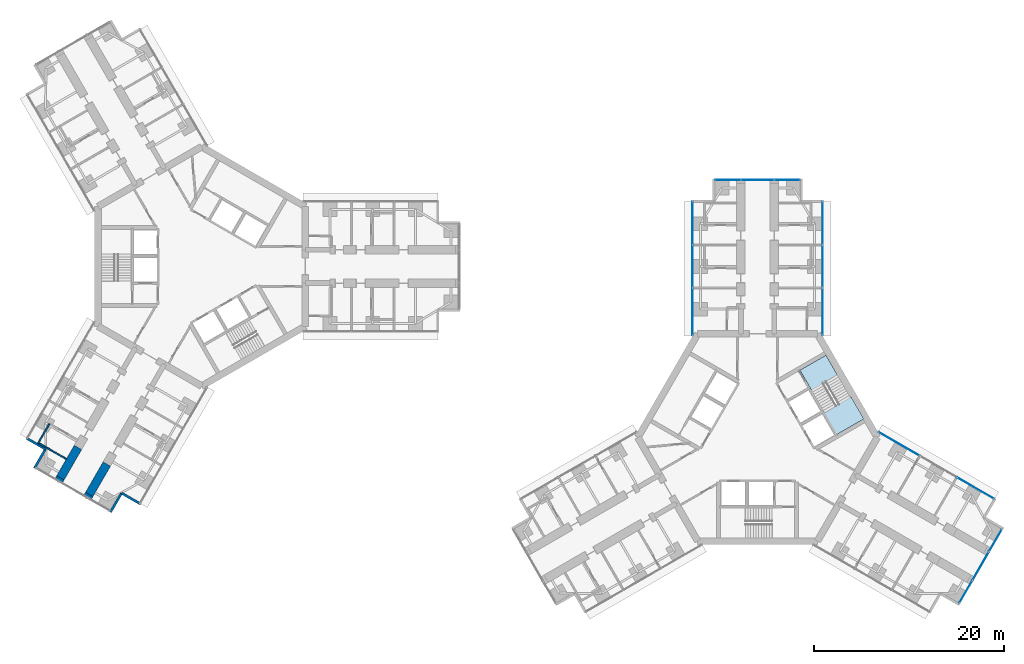
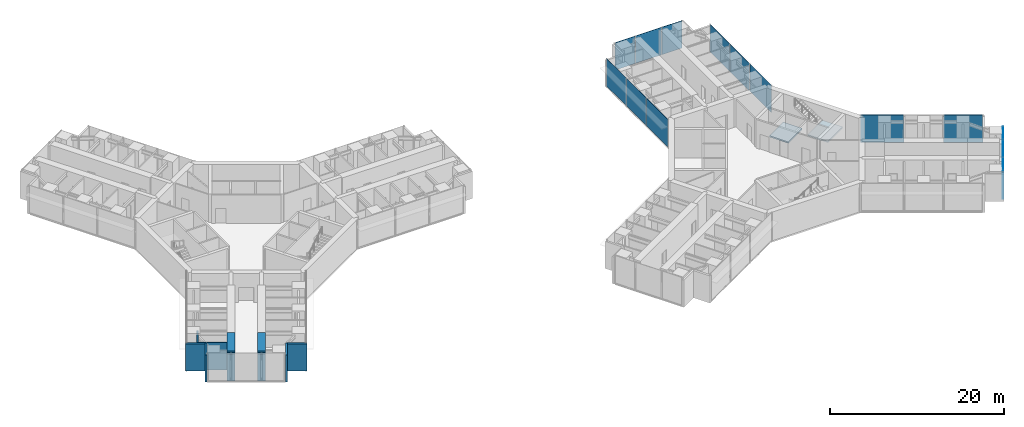
# One storey, part 15 of 24: 14 plates, 10 walls, 2 slabs, 6 elements without a shape of their own.
"""IFC4 building model written with IfcOpenShell, lengths in metres."""

from ifc_helpers import new_model, si_unit, direction, frame, frame_2d, origin, origin_2d, place, context, subcontext, project, spatial, polyline, rectangle, outline, extrude, material, layer, layer_set, type_object, element, aggregate, save


model = new_model("IFC4")

# Units and contexts
model_context = context("Model", 3, precision=1e-05, world=origin(), true_north=direction((0.0, 1.0)))
body_context = subcontext(model_context, "Body", "Model", "MODEL_VIEW")
ifc_project = project(units=[si_unit("LENGTHUNIT", "METRE"), si_unit("AREAUNIT", "SQUARE_METRE"), si_unit("VOLUMEUNIT", "CUBIC_METRE"), si_unit("PLANEANGLEUNIT", "RADIAN"), si_unit("MASSUNIT", "GRAM", prefix="KILO")], contexts=[model_context])

# Site, building, storey
site_placement = place(None, origin())
site = spatial("IfcSite", under=ifc_project, at=site_placement, CompositionType="ELEMENT")
building_placement = place(site_placement, origin())
building = spatial("IfcBuilding", under=site, at=building_placement, Name="Upepo Twin Towers", CompositionType="ELEMENT")
storey_placement = place(building_placement, frame((0.0, 0.0, 64.5)))
storey = spatial("IfcBuildingStorey", under=building, at=storey_placement, Name="L15", CompositionType="ELEMENT", Elevation=64.5)

# Curtain wall, plates
ifc_material_1 = material(Name="Aluminium and fritted glass", Category="aluminium")
curtain_wall_type = type_object("IfcCurtainWallType", Name="Tower curtain wall TW1, fritted glass", PredefinedType="NOTDEFINED", material=ifc_material_1)
curtain_wall_1_placement = place(storey_placement, origin())
curtain_wall_1 = element("IfcCurtainWall", 1, at=curtain_wall_1_placement, inside=storey, type_object=curtain_wall_type, Name="T2 L15 wing A flank L curtain wall", PredefinedType="NOTDEFINED")
ifc_material_2 = material(Name="Ceramic-fritted laminated glass", Category="glass")
ifc_layer_1 = layer(ifc_material_2, 0.031982421875)
ifc_layer_set_1 = layer_set([ifc_layer_1], Name="Fritted glass panel, 25 per cent dot frit, 32 mm double glazed")
plate_type_1 = type_object("IfcPlateType", Name="Fritted glass panel, 25 per cent dot frit, 32 mm double glazed", PredefinedType="CURTAIN_PANEL", material=ifc_layer_set_1)
plate_1_placement = place(storey_placement, frame((51.64990234375, -4.76513671875, 0.14990234375), z_axis=(0.0, 0.0, 1.0), x_axis=(0.0, 1.0, 0.0)))
plate_1 = element("IfcPlate", 2, at=plate_1_placement, type_object=plate_type_1, Name="T2 L15 wing A flank L curtain wall panel 1", PredefinedType="CURTAIN_PANEL", context=body_context, shape_type="SweptSolid", body=[
    extrude(rectangle(XDim=4.96533203125, YDim=0.031982421875, at=origin_2d()), origin(), (0.0, 0.0, 1.0), 3.85009765625),
])
plate_2_placement = place(storey_placement, frame((51.64990234375, 0.0, 0.14990234375), z_axis=(0.0, 0.0, 1.0), x_axis=(0.0, 1.0, 0.0)))
plate_2 = element("IfcPlate", 3, at=plate_2_placement, type_object=plate_type_1, Name="T2 L15 wing A flank L curtain wall panel 2", PredefinedType="CURTAIN_PANEL", context=body_context, shape_type="SweptSolid", body=[
    extrude(rectangle(XDim=4.43505859375, YDim=0.031982421875, at=origin_2d()), origin(), (0.0, 0.0, 1.0), 3.85009765625),
])
plate_3_placement = place(storey_placement, frame((51.64990234375, 4.53369140625, 0.14990234375), z_axis=(0.0, 0.0, 1.0), x_axis=(0.0, 1.0, 0.0)))
plate_3 = element("IfcPlate", 4, at=plate_3_placement, type_object=plate_type_1, Name="T2 L15 wing A flank L curtain wall panel 3", PredefinedType="CURTAIN_PANEL", context=body_context, shape_type="SweptSolid", body=[
    extrude(rectangle(XDim=4.50244140625, YDim=0.031982421875, at=origin_2d()), origin(), (0.0, 0.0, 1.0), 3.85009765625),
])
aggregate(curtain_wall_1, [plate_1, plate_2, plate_3])

curtain_wall_2_placement = place(storey_placement, origin())
curtain_wall_2 = element("IfcCurtainWall", 5, at=curtain_wall_2_placement, inside=storey, type_object=curtain_wall_type, Name="T2 L15 wing A flank R curtain wall", PredefinedType="NOTDEFINED")
plate_4_placement = place(storey_placement, frame((65.35009765625, 4.53369140625, 0.14990234375), z_axis=(0.0, 0.0, 1.0), x_axis=(0.0, -1.0, 0.0)))
plate_4 = element("IfcPlate", 6, at=plate_4_placement, type_object=plate_type_1, Name="T2 L15 wing A flank R curtain wall panel 1", PredefinedType="CURTAIN_PANEL", context=body_context, shape_type="SweptSolid", body=[
    extrude(rectangle(XDim=4.50244140625, YDim=0.031982421875, at=origin_2d()), origin(), (0.0, 0.0, 1.0), 3.85009765625),
])
plate_5_placement = place(storey_placement, frame((65.35009765625, 0.0, 0.14990234375), z_axis=(0.0, 0.0, 1.0), x_axis=(0.0, -1.0, 0.0)))
plate_5 = element("IfcPlate", 7, at=plate_5_placement, type_object=plate_type_1, Name="T2 L15 wing A flank R curtain wall panel 2", PredefinedType="CURTAIN_PANEL", context=body_context, shape_type="SweptSolid", body=[
    extrude(rectangle(XDim=4.43505859375, YDim=0.031982421875, at=origin_2d()), origin(), (0.0, 0.0, 1.0), 3.85009765625),
])
plate_6_placement = place(storey_placement, frame((65.35009765625, -4.76513671875, 0.14990234375), z_axis=(0.0, 0.0, 1.0), x_axis=(0.0, -1.0, 0.0)))
plate_6 = element("IfcPlate", 8, at=plate_6_placement, type_object=plate_type_1, Name="T2 L15 wing A flank R curtain wall panel 3", PredefinedType="CURTAIN_PANEL", context=body_context, shape_type="SweptSolid", body=[
    extrude(rectangle(XDim=4.96533203125, YDim=0.031982421875, at=origin_2d()), origin(), (0.0, 0.0, 1.0), 3.85009765625),
])
aggregate(curtain_wall_2, [plate_4, plate_5, plate_6])

# Curtain wall, plate
curtain_wall_3_placement = place(storey_placement, origin())
curtain_wall_3 = element("IfcCurtainWall", 9, at=curtain_wall_3_placement, inside=storey, type_object=curtain_wall_type, Name="T2 L15 wing A nose curtain wall", PredefinedType="NOTDEFINED")
plate_7_placement = place(storey_placement, frame((58.5, 9.10009765625, 0.14990234375), z_axis=(0.0, 0.0, 1.0), x_axis=(-1.0, 0.0, 0.0)))
plate_7 = element("IfcPlate", 10, at=plate_7_placement, type_object=plate_type_1, Name="T2 L15 wing A nose curtain wall panel 2", PredefinedType="CURTAIN_PANEL", context=body_context, shape_type="SweptSolid", body=[
    extrude(rectangle(XDim=3.43505859375, YDim=0.031982421875, at=origin_2d()), origin(), (0.0, 0.0, 1.0), 3.85009765625),
])

# Curtain wall, plates
curtain_wall_4_placement = place(storey_placement, origin())
curtain_wall_4 = element("IfcCurtainWall", 11, at=curtain_wall_4_placement, inside=storey, type_object=curtain_wall_type, Name="T2 L15 wing C flank L curtain wall", PredefinedType="NOTDEFINED")
plate_8_placement = place(storey_placement, frame((73.38671875, -18.68505859375, 0.14990234375), z_axis=(0.0, 0.0, 1.0), x_axis=(0.866025389682, -0.500000024426, 0.0)))
plate_8 = element("IfcPlate", 12, at=plate_8_placement, type_object=plate_type_1, Name="T2 L15 wing C flank L curtain wall panel 1", PredefinedType="CURTAIN_PANEL", context=body_context, shape_type="SweptSolid", body=[
    extrude(rectangle(XDim=4.96533203125, YDim=0.031982421875, at=origin_2d()), origin(), (0.0, 0.0, 1.0), 3.85009765625),
])
plate_9_placement = place(storey_placement, frame((81.439697265625, -23.334716796875, 0.14990234375), z_axis=(0.0, 0.0, 1.0), x_axis=(0.866025389682, -0.500000024426, 0.0)))
plate_9 = element("IfcPlate", 13, at=plate_9_placement, type_object=plate_type_1, Name="T2 L15 wing C flank L curtain wall panel 3", PredefinedType="CURTAIN_PANEL", context=body_context, shape_type="SweptSolid", body=[
    extrude(rectangle(XDim=4.50244140625, YDim=0.031982421875, at=origin_2d()), origin(), (0.0, 0.0, 1.0), 3.85009765625),
])
aggregate(curtain_wall_4, [plate_8, plate_9])

# Curtain wall, plate
curtain_wall_5_placement = place(storey_placement, origin())
curtain_wall_5 = element("IfcCurtainWall", 14, at=curtain_wall_5_placement, inside=storey, type_object=curtain_wall_type, Name="T2 L15 wing C nose curtain wall", PredefinedType="NOTDEFINED")
plate_10_placement = place(storey_placement, frame((81.96923828125, -31.550048828125, 0.14990234375), z_axis=(0.0, 0.0, 1.0), x_axis=(0.500000030502, 0.866025386174, 0.0)))
plate_10 = element("IfcPlate", 15, at=plate_10_placement, type_object=plate_type_1, Name="T2 L15 wing C nose curtain wall panel 2", PredefinedType="CURTAIN_PANEL", context=body_context, shape_type="SweptSolid", body=[
    extrude(rectangle(XDim=3.43505859375, YDim=0.031982421875, at=origin_2d()), origin(), (0.0, 0.0, 1.0), 3.85009765625),
])

# Plate
ifc_material_3 = material(Name="Clear laminated glass in opening sash", Category="glass")
ifc_layer_2 = layer(ifc_material_3, 0.031982421875)
ifc_layer_set_2 = layer_set([ifc_layer_2], Name="Operable glass panel, 32 mm double glazed")
plate_type_2 = type_object("IfcPlateType", Name="Operable glass panel, 32 mm double glazed", PredefinedType="CURTAIN_PANEL", material=ifc_layer_set_2)
plate_11_placement = place(storey_placement, frame((61.608642578125, 9.10009765625, 0.14990234375), z_axis=(0.0, 0.0, 1.0), x_axis=(-1.0, 0.0, 0.0)))
plate_11 = element("IfcPlate", 16, at=plate_11_placement, type_object=plate_type_2, Name="T2 L15 wing A nose curtain wall panel 1", PredefinedType="CURTAIN_PANEL", context=body_context, shape_type="SweptSolid", body=[
    extrude(rectangle(XDim=2.652587890625, YDim=0.031982421875, at=origin_2d()), origin(), (0.0, 0.0, 1.0), 3.85009765625),
])

plate_12_placement = place(storey_placement, frame((55.391357421875, 9.10009765625, 0.14990234375), z_axis=(0.0, 0.0, 1.0), x_axis=(-1.0, 0.0, 0.0)))
plate_12 = element("IfcPlate", 17, at=plate_12_placement, type_object=plate_type_2, Name="T2 L15 wing A nose curtain wall panel 3", PredefinedType="CURTAIN_PANEL", context=body_context, shape_type="SweptSolid", body=[
    extrude(rectangle(XDim=2.652587890625, YDim=0.031982421875, at=origin_2d()), origin(), (0.0, 0.0, 1.0), 3.85009765625),
])

aggregate(curtain_wall_3, [plate_11, plate_7, plate_12])

plate_13_placement = place(storey_placement, frame((80.414794921875, -34.2421875, 0.14990234375), z_axis=(0.0, 0.0, 1.0), x_axis=(0.500000030502, 0.866025386174, 0.0)))
plate_13 = element("IfcPlate", 18, at=plate_13_placement, type_object=plate_type_2, Name="T2 L15 wing C nose curtain wall panel 1", PredefinedType="CURTAIN_PANEL", context=body_context, shape_type="SweptSolid", body=[
    extrude(rectangle(XDim=2.652587890625, YDim=0.031982421875, at=origin_2d()), origin(), (0.0, 0.0, 1.0), 3.85009765625),
])

plate_14_placement = place(storey_placement, frame((83.523681640625, -28.857666015625, 0.14990234375), z_axis=(0.0, 0.0, 1.0), x_axis=(0.500000030502, 0.866025386174, 0.0)))
plate_14 = element("IfcPlate", 19, at=plate_14_placement, type_object=plate_type_2, Name="T2 L15 wing C nose curtain wall panel 3", PredefinedType="CURTAIN_PANEL", context=body_context, shape_type="SweptSolid", body=[
    extrude(rectangle(XDim=2.652587890625, YDim=0.031982421875, at=origin_2d()), origin(), (0.0, 0.0, 1.0), 3.85009765625),
])

aggregate(curtain_wall_5, [plate_13, plate_10, plate_14])

# Stair, slabs
ifc_material_4 = material(Name="Concrete C40/50", Category="concrete")
stair_type = type_object("IfcStairType", Name="Core stair, two flights", PredefinedType="HALF_TURN_STAIR", material=ifc_material_4)
stair_placement = place(storey_placement, origin())
stair = element("IfcStair", 20, at=stair_placement, inside=storey, type_object=stair_type, Name="T2 stair S2 L15", PredefinedType="HALF_TURN_STAIR")
ifc_material_5 = material(Name="Concrete C40/50", Category="concrete")
ifc_layer_3 = layer(ifc_material_5, 0.199951171875)
ifc_layer_set_3 = layer_set([ifc_layer_3], Name="Concrete C40/50")
slab_type = type_object("IfcSlabType", Name="Stair landing 200 RC", PredefinedType="LANDING", material=ifc_layer_set_3)
slab_1_placement = place(storey_placement, frame((0.0, 0.0, -0.199951171875)))
slab_1 = element("IfcSlab", 21, at=slab_1_placement, type_object=slab_type, Name="Stair S2 landing 1", PredefinedType="LANDING", context=body_context, shape_type="SweptSolid", body=[
    extrude(outline(polyline([(64.198486328125, -13.0703125), (66.933837890625, -11.490966796875), (65.69384765625, -9.34326171875), (62.95849609375, -10.922607421875), (64.198486328125, -13.0703125)])), origin(), (0.0, 0.0, 1.0), 0.199951171875),
])
slab_2_placement = place(storey_placement, frame((0.0, 0.0, 1.800048828125)))
slab_2 = element("IfcSlab", 22, at=slab_2_placement, type_object=slab_type, Name="Stair S2 landing 2", PredefinedType="LANDING", context=body_context, shape_type="SweptSolid", body=[
    extrude(outline(polyline([(66.77197265625, -17.7275390625), (69.680419921875, -16.04833984375), (68.3203125, -13.692626953125), (65.411865234375, -15.371826171875), (66.77197265625, -17.7275390625)])), origin(), (0.0, 0.0, 1.0), 0.199951171875),
])
aggregate(stair, [slab_1, slab_2])

# Walls
ifc_material_6 = material(Name="Dense concrete blockwork", Category="masonry")
ifc_layer_4 = layer(ifc_material_6, 0.89990234375)
ifc_layer_set_4 = layer_set([ifc_layer_4], Name="Buttress closer 900, blockwork with fire-stopping to the curtain wall")
wall_type_1 = type_object("IfcWallType", Name="Buttress closer 900, blockwork with fire-stopping to the curtain wall", PredefinedType="PARTITIONING", material=ifc_layer_set_4)
for number, where, z_axis, x_axis, name in (
    (23, (-11.83447265625, -23.997802734375, 0.0), (0.0, 0.0, 1.0), (-0.499949632511, -0.866054481515, 0.0), "T1 L15 wing C buttress closer L"),
    (24, (-14.865478515625, -22.247802734375, 0.0), (0.0, 0.0, 1.0), (-0.499949632511, -0.866054481515, 0.0), "T1 L15 wing C buttress closer R"),
):
    element("IfcWall", number, at=place(storey_placement, frame(where, z_axis=z_axis, x_axis=x_axis)), inside=storey, type_object=wall_type_1, Name=name, PredefinedType="PARTITIONING", context=body_context, shape_type="SweptSolid", body=[
        extrude(rectangle(XDim=0.31005859375, YDim=0.89990234375, at=frame_2d((0.155029296875, 0.0))), origin(), (0.0, 0.0, 1.0), 3.800048828125),
    ])
ifc_material_7 = material(Name="Concrete C60/75", Category="concrete")
ifc_layer_5 = layer(ifc_material_7, 0.89990234375)
ifc_layer_set_5 = layer_set([ifc_layer_5], Name="Concrete C60/75")
wall_type_2 = type_object("IfcWallType", Name="Buttress wall 900 RC", PredefinedType="SHEAR", material=ifc_layer_set_5)
wall_1_placement = place(storey_placement, frame((-9.984375, -20.793701171875, 0.0), z_axis=(0.0, 0.0, 1.0), x_axis=(-0.500042316284, -0.866000971088, 0.0)))
element("IfcWall", 25, at=wall_1_placement, inside=storey, type_object=wall_type_2, Name="T1 wing C buttress wall L part 3", PredefinedType="SHEAR", context=body_context, shape_type="SweptSolid", body=[
    extrude(rectangle(XDim=3.699951171875, YDim=0.89990234375, at=frame_2d((1.85009765625, 0.0))), origin(), (0.0, 0.0, 1.0), 4.0),
])
wall_2_placement = place(storey_placement, frame((-13.015625, -19.043701171875, 0.0), z_axis=(0.0, 0.0, 1.0), x_axis=(-0.499992827086, -0.866029545028, 0.0)))
element("IfcWall", 26, at=wall_2_placement, inside=storey, type_object=wall_type_2, Name="T1 wing C buttress wall R part 3", PredefinedType="SHEAR", context=body_context, shape_type="SweptSolid", body=[
    extrude(rectangle(XDim=3.69970703125, YDim=0.89990234375, at=frame_2d((1.849853515625, 0.0))), origin(), (0.0, 0.0, 1.0), 4.0),
])
ifc_material_8 = material(Name="Blockwork with anodised aluminium cladding", Category="masonry")
ifc_layer_6 = layer(ifc_material_8, 0.25)
ifc_layer_set_6 = layer_set([ifc_layer_6], Name="Notch cladding wall 250, pale metal")
wall_type_3 = type_object("IfcWallType", Name="Notch cladding wall 250, pale metal", PredefinedType="STANDARD", material=ifc_layer_set_6)
for number, where, z_axis, x_axis, name in (
    (27, (-6.418701171875, -25.017333984375, 0.0), (0.0, 0.0, 1.0), (-0.866043940782, 0.499967891604, 0.0), "T1 L15 wing C notch wall L1"),
    (28, (-8.43212890625, -23.85498046875, 0.0), (0.0, 0.0, 1.0), (-0.500046648681, -0.865998469481, 0.0), "T1 L15 wing C notch wall L2"),
    (29, (-18.456298828125, -18.0673828125, 0.0), (0.0, 0.0, 1.0), (0.865998469481, -0.500046648681, 0.0), "T1 L15 wing C notch wall R1"),
    (30, (-16.44287109375, -19.22998046875, 0.0), (0.0, 0.0, 1.0), (-0.500046648681, -0.865998469481, 0.0), "T1 L15 wing C notch wall R2"),
):
    element("IfcWall", number, at=place(storey_placement, frame(where, z_axis=z_axis, x_axis=x_axis)), inside=storey, type_object=wall_type_3, Name=name, PredefinedType="STANDARD", context=body_context, shape_type="SweptSolid", body=[
        extrude(rectangle(XDim=2.324951171875, YDim=0.25, at=frame_2d((1.16259765625, 0.0))), origin(), (0.0, 0.0, 1.0), 3.800048828125),
    ])
ifc_material_9 = material(Name="Gypsum board on steel studs", Category="steel")
ifc_layer_7 = layer(ifc_material_9, 0.14990234375)
ifc_layer_set_7 = layer_set([ifc_layer_7], Name="Teaching partition 150 acoustic")
wall_type_4 = type_object("IfcWallType", Name="Teaching partition 150 acoustic", PredefinedType="PARTITIONING", material=ifc_layer_set_7)
wall_3_placement = place(storey_placement, frame((-16.024658203125, -16.5556640625, 0.0), z_axis=(0.0, 0.0, 1.0), x_axis=(-0.500077600433, -0.865980596518, 0.0)))
element("IfcWall", 31, at=wall_3_placement, inside=storey, type_object=wall_type_4, Name="T1 inner room partition CR at 22.35", PredefinedType="PARTITIONING", context=body_context, shape_type="SweptSolid", body=[
    extrude(rectangle(XDim=2.39990234375, YDim=0.14990234375, at=frame_2d((1.199951171875, 0.0))), origin(), (0.0, 0.0, 1.0), 3.800048828125),
])
wall_4_placement = place(storey_placement, frame((-14.24267578125, -20.269287109375, 0.0), z_axis=(0.0, 0.0, 1.0), x_axis=(-0.866007419912, 0.500031147688, 0.0)))
element("IfcWall", 32, at=wall_4_placement, inside=storey, type_object=wall_type_4, Name="T1 inner room partition CR end at 24.75", PredefinedType="PARTITIONING", context=body_context, shape_type="SweptSolid", body=[
    extrude(rectangle(XDim=3.400146484375, YDim=0.14990234375, at=frame_2d((1.7001953125, 0.0))), origin(), (0.0, 0.0, 1.0), 3.800048828125),
])

save(model, "model.ifc")
